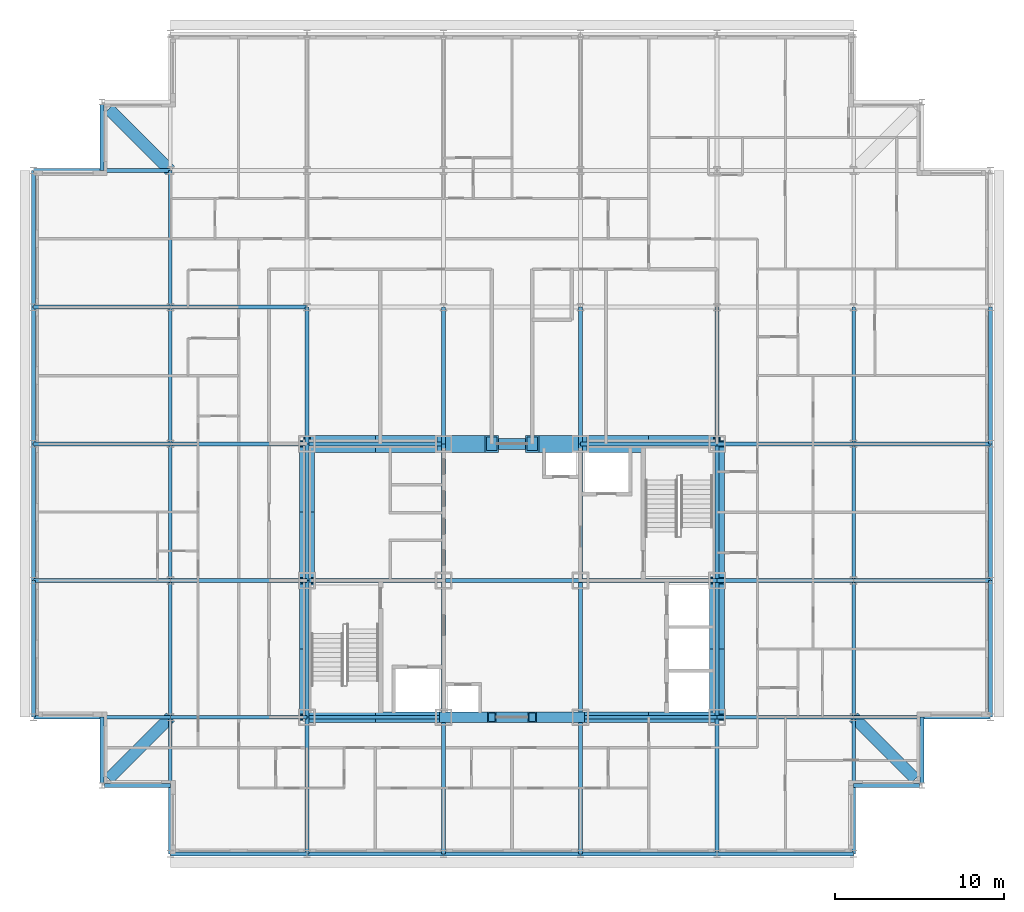
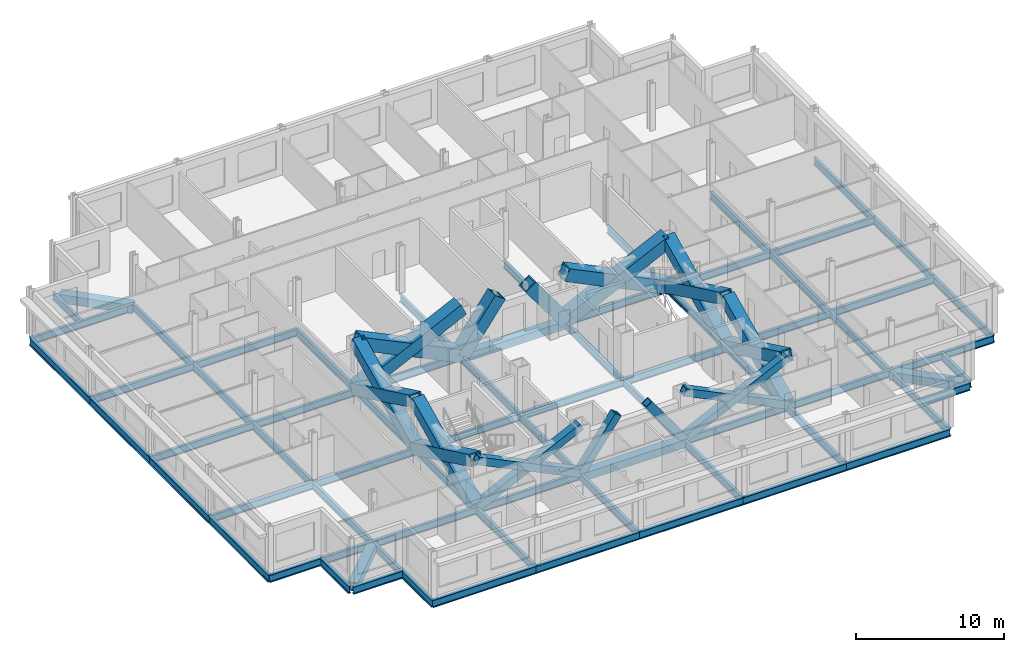
# One storey, part 5 of 15: 69 beams, 20 members.
"""IFC4 building model written with IfcOpenShell, lengths in metres."""

from ifc_helpers import new_model, si_unit, direction, frame, origin, origin_2d, place, context, subcontext, project, spatial, hollow_rectangle, i_section, extrude, material, material_profile, profile_set, type_object, element, save


model = new_model("IFC4")

# Units and contexts
model_context = context("Model", 3, precision=1e-05, world=origin(), true_north=direction((0.0, 1.0)))
body_context = subcontext(model_context, "Body", "Model", "MODEL_VIEW")
ifc_project = project(units=[si_unit("LENGTHUNIT", "METRE"), si_unit("AREAUNIT", "SQUARE_METRE"), si_unit("VOLUMEUNIT", "CUBIC_METRE"), si_unit("PLANEANGLEUNIT", "RADIAN"), si_unit("MASSUNIT", "GRAM", prefix="KILO")], contexts=[model_context])

# Site, building, storey
site_placement = place(None, origin())
site = spatial("IfcSite", under=ifc_project, at=site_placement, CompositionType="ELEMENT")
building_placement = place(site_placement, origin())
building = spatial("IfcBuilding", under=site, at=building_placement, Name="Kopane Lantern Tower", CompositionType="ELEMENT")
storey_placement = place(building_placement, frame((0.0, 0.0, 250.199951171875)))
storey = spatial("IfcBuildingStorey", under=building, at=storey_placement, Name="L64", CompositionType="ELEMENT", Elevation=250.199951171875)

# Members
ifc_material_1 = material(Name="Steel S355JR", Category="steel")
ifc_material_profile_1 = material_profile(ifc_material_1, hollow_rectangle(XDim=1.0, YDim=1.0, WallThickness=0.10009765625, at=origin_2d()), Name="BOX 1000x1000x100")
ifc_profile_set_1 = profile_set([ifc_material_profile_1], Name="Steel S355JR")
member_type_1 = type_object("IfcMemberType", Name="BRACE BOX 1000x1000x100", PredefinedType="BRACE", material=ifc_profile_set_1)
for number, where, z_axis, x_axis, name in (
    (1, (16.199951171875, 40.5, -0.2099609375), (0.901007959878, 0.0, 0.433802554437), (0.0, 1.0, 0.0), "Core brace L64"),
    (2, (24.300048828125, 40.5, -0.2099609375), (-0.901007959878, 0.0, 0.433802554437), (0.0, -1.0, 0.0), "Core brace L64"),
):
    element("IfcMember", number, at=place(storey_placement, frame(where, z_axis=z_axis, x_axis=x_axis)), inside=storey, type_object=member_type_1, Name=name, PredefinedType="BRACE", context=body_context, shape_type="SweptSolid", body=[
        extrude(hollow_rectangle(XDim=1.0, YDim=1.0, WallThickness=0.10009765625, at=origin_2d()), origin(), (0.0, 0.0, 1.0), 8.989990234375),
    ])
for number, where, z_axis, x_axis, name in (
    (3, (24.300048828125, 40.5, -0.2099609375), (0.590006451143, 0.0, 0.807398530845), (0.0, 1.0, 0.0), "Core brace L64"),
    (4, (32.39990234375, 40.5, -0.2099609375), (-0.590006451143, 0.0, 0.807398530845), (0.0, -1.0, 0.0), "Core brace L64"),
):
    element("IfcMember", number, at=place(storey_placement, frame(where, z_axis=z_axis, x_axis=x_axis)), inside=storey, type_object=member_type_1, Name=name, PredefinedType="BRACE", context=body_context, shape_type="SweptSolid", body=[
        extrude(hollow_rectangle(XDim=1.0, YDim=1.0, WallThickness=0.10009765625, at=origin_2d()), origin(), (0.0, 0.0, 1.0), 4.830322265625),
    ])
for number, where, z_axis, x_axis, name in (
    (5, (32.39990234375, 40.5, -0.2099609375), (0.901007959878, 0.0, 0.433802554437), (0.0, 1.0, 0.0), "Core brace L64"),
    (6, (40.5, 40.5, -0.2099609375), (-0.901007959878, 0.0, 0.433802554437), (0.0, -1.0, 0.0), "Core brace L64"),
):
    element("IfcMember", number, at=place(storey_placement, frame(where, z_axis=z_axis, x_axis=x_axis)), inside=storey, type_object=member_type_1, Name=name, PredefinedType="BRACE", context=body_context, shape_type="SweptSolid", body=[
        extrude(hollow_rectangle(XDim=1.0, YDim=1.0, WallThickness=0.10009765625, at=origin_2d()), origin(), (0.0, 0.0, 1.0), 8.989990234375),
    ])
ifc_material_2 = material(Name="Steel S355JR", Category="steel")
ifc_material_profile_2 = material_profile(ifc_material_2, hollow_rectangle(XDim=0.60009765625, YDim=0.60009765625, WallThickness=0.06005859375, at=origin_2d()), Name="BOX 600x600x60")
ifc_profile_set_2 = profile_set([ifc_material_profile_2], Name="Steel S355JR")
member_type_2 = type_object("IfcMemberType", Name="BRACE BOX 600x600x60", PredefinedType="BRACE", material=ifc_profile_set_2)
for number, where, z_axis, x_axis, name in (
    (7, (16.199951171875, 24.300048828125, -0.2099609375), (0.901007959878, 0.0, 0.433802554437), (0.0, 1.0, 0.0), "Core brace L64"),
    (8, (24.300048828125, 24.300048828125, -0.2099609375), (-0.901007959878, 0.0, 0.433802554437), (0.0, -1.0, 0.0), "Core brace L64"),
):
    element("IfcMember", number, at=place(storey_placement, frame(where, z_axis=z_axis, x_axis=x_axis)), inside=storey, type_object=member_type_2, Name=name, PredefinedType="BRACE", context=body_context, shape_type="SweptSolid", body=[
        extrude(hollow_rectangle(XDim=0.60009765625, YDim=0.60009765625, WallThickness=0.06005859375, at=origin_2d()), origin(), (0.0, 0.0, 1.0), 8.989990234375),
    ])
for number, where, z_axis, x_axis, name in (
    (9, (24.300048828125, 24.300048828125, -0.2099609375), (0.590006451143, 0.0, 0.807398530845), (0.0, 1.0, 0.0), "Core brace L64"),
    (10, (32.39990234375, 24.300048828125, -0.2099609375), (-0.590006451143, 0.0, 0.807398530845), (0.0, -1.0, 0.0), "Core brace L64"),
):
    element("IfcMember", number, at=place(storey_placement, frame(where, z_axis=z_axis, x_axis=x_axis)), inside=storey, type_object=member_type_2, Name=name, PredefinedType="BRACE", context=body_context, shape_type="SweptSolid", body=[
        extrude(hollow_rectangle(XDim=0.60009765625, YDim=0.60009765625, WallThickness=0.06005859375, at=origin_2d()), origin(), (0.0, 0.0, 1.0), 4.830322265625),
    ])
for number, where, z_axis, x_axis, name in (
    (11, (32.39990234375, 24.300048828125, -0.2099609375), (0.901007959878, 0.0, 0.433802554437), (0.0, 1.0, 0.0), "Core brace L64"),
    (12, (40.5, 24.300048828125, -0.2099609375), (-0.901007959878, 0.0, 0.433802554437), (0.0, -1.0, 0.0), "Core brace L64"),
):
    element("IfcMember", number, at=place(storey_placement, frame(where, z_axis=z_axis, x_axis=x_axis)), inside=storey, type_object=member_type_2, Name=name, PredefinedType="BRACE", context=body_context, shape_type="SweptSolid", body=[
        extrude(hollow_rectangle(XDim=0.60009765625, YDim=0.60009765625, WallThickness=0.06005859375, at=origin_2d()), origin(), (0.0, 0.0, 1.0), 8.989990234375),
    ])
ifc_material_3 = material(Name="Steel S355JR", Category="steel")
ifc_material_profile_3 = material_profile(ifc_material_3, hollow_rectangle(XDim=0.89990234375, YDim=0.89990234375, WallThickness=0.090087890625, at=origin_2d()), Name="BOX 900x900x90")
ifc_profile_set_3 = profile_set([ifc_material_profile_3], Name="Steel S355JR")
member_type_3 = type_object("IfcMemberType", Name="BRACE BOX 900x900x90", PredefinedType="BRACE", material=ifc_profile_set_3)
for number, where, z_axis, x_axis, name in (
    (13, (16.199951171875, 24.300048828125, -0.2099609375), (0.0, 0.9010028492, 0.433813169157), (-1.0, 0.0, 0.0), "Core brace L64"),
    (14, (16.199951171875, 32.39990234375, -0.2099609375), (0.0, -0.9010028492, 0.433813169157), (1.0, 0.0, 0.0), "Core brace L64"),
):
    element("IfcMember", number, at=place(storey_placement, frame(where, z_axis=z_axis, x_axis=x_axis)), inside=storey, type_object=member_type_3, Name=name, PredefinedType="BRACE", context=body_context, shape_type="SweptSolid", body=[
        extrude(hollow_rectangle(XDim=0.89990234375, YDim=0.89990234375, WallThickness=0.090087890625, at=origin_2d()), origin(), (0.0, 0.0, 1.0), 8.98974609375),
    ])
for number, where, z_axis, x_axis, name in (
    (15, (16.199951171875, 32.39990234375, -0.2099609375), (0.0, 0.901007959878, 0.433802554437), (-1.0, 0.0, 0.0), "Core brace L64"),
    (16, (16.199951171875, 40.5, -0.2099609375), (0.0, -0.901007959878, 0.433802554437), (1.0, 0.0, 0.0), "Core brace L64"),
):
    element("IfcMember", number, at=place(storey_placement, frame(where, z_axis=z_axis, x_axis=x_axis)), inside=storey, type_object=member_type_3, Name=name, PredefinedType="BRACE", context=body_context, shape_type="SweptSolid", body=[
        extrude(hollow_rectangle(XDim=0.89990234375, YDim=0.89990234375, WallThickness=0.090087890625, at=origin_2d()), origin(), (0.0, 0.0, 1.0), 8.989990234375),
    ])
for number, where, z_axis, x_axis, name in (
    (17, (40.5, 24.300048828125, -0.2099609375), (0.0, 0.9010028492, 0.433813169157), (-1.0, 0.0, 0.0), "Core brace L64"),
    (18, (40.5, 32.39990234375, -0.2099609375), (0.0, -0.9010028492, 0.433813169157), (1.0, 0.0, 0.0), "Core brace L64"),
):
    element("IfcMember", number, at=place(storey_placement, frame(where, z_axis=z_axis, x_axis=x_axis)), inside=storey, type_object=member_type_3, Name=name, PredefinedType="BRACE", context=body_context, shape_type="SweptSolid", body=[
        extrude(hollow_rectangle(XDim=0.89990234375, YDim=0.89990234375, WallThickness=0.090087890625, at=origin_2d()), origin(), (0.0, 0.0, 1.0), 8.98974609375),
    ])
for number, where, z_axis, x_axis, name in (
    (19, (40.5, 32.39990234375, -0.2099609375), (0.0, 0.901007959878, 0.433802554437), (-1.0, 0.0, 0.0), "Core brace L64"),
    (20, (40.5, 40.5, -0.2099609375), (0.0, -0.901007959878, 0.433802554437), (1.0, 0.0, 0.0), "Core brace L64"),
):
    element("IfcMember", number, at=place(storey_placement, frame(where, z_axis=z_axis, x_axis=x_axis)), inside=storey, type_object=member_type_3, Name=name, PredefinedType="BRACE", context=body_context, shape_type="SweptSolid", body=[
        extrude(hollow_rectangle(XDim=0.89990234375, YDim=0.89990234375, WallThickness=0.090087890625, at=origin_2d()), origin(), (0.0, 0.0, 1.0), 8.989990234375),
    ])

# Beams
ifc_material_4 = material(Name="Steel S355JR", Category="steel")
ifc_material_profile_4 = material_profile(ifc_material_4, i_section(OverallWidth=0.22900390625, OverallDepth=0.6123046875, WebThickness=0.011962890625, FlangeThickness=0.01953125, FilletRadius=0.0126953125, at=origin_2d()), Name="UB 610x229x125")
ifc_profile_set_4 = profile_set([ifc_material_profile_4], Name="Steel S355JR")
beam_type_1 = type_object("IfcBeamType", Name="CORE BEAM UB 610x229x125", PredefinedType="BEAM", material=ifc_profile_set_4)
beam_1_placement = place(storey_placement, frame((16.199951171875, 32.39990234375, -0.51611328125), z_axis=(1.0, 0.0, 0.0), x_axis=(0.0, 1.0, 0.0)))
element("IfcBeam", 21, at=beam_1_placement, inside=storey, type_object=beam_type_1, Name="Core Beam L64", PredefinedType="BEAM", context=body_context, shape_type="SweptSolid", body=[
    extrude(i_section(OverallWidth=0.22900390625, OverallDepth=0.6123046875, WebThickness=0.011962890625, FlangeThickness=0.01953125, FilletRadius=0.0126953125, at=origin_2d()), origin(), (0.0, 0.0, 1.0), 8.10009765625),
])
beam_2_placement = place(storey_placement, frame((24.300048828125, 24.300048828125, -0.51611328125), z_axis=(0.0, 1.0, 0.0), x_axis=(-1.0, 0.0, 0.0)))
element("IfcBeam", 22, at=beam_2_placement, inside=storey, type_object=beam_type_1, Name="Core Beam L64", PredefinedType="BEAM", context=body_context, shape_type="SweptSolid", body=[
    extrude(i_section(OverallWidth=0.22900390625, OverallDepth=0.6123046875, WebThickness=0.011962890625, FlangeThickness=0.01953125, FilletRadius=0.0126953125, at=origin_2d()), origin(), (0.0, 0.0, 1.0), 8.099853515625),
])
beam_3_placement = place(storey_placement, frame((24.300048828125, 32.39990234375, -0.51611328125), z_axis=(0.0, 1.0, 0.0), x_axis=(-1.0, 0.0, 0.0)))
element("IfcBeam", 23, at=beam_3_placement, inside=storey, type_object=beam_type_1, Name="Core Beam L64", PredefinedType="BEAM", context=body_context, shape_type="SweptSolid", body=[
    extrude(i_section(OverallWidth=0.22900390625, OverallDepth=0.6123046875, WebThickness=0.011962890625, FlangeThickness=0.01953125, FilletRadius=0.0126953125, at=origin_2d()), origin(), (0.0, 0.0, 1.0), 8.10009765625),
])
for number, where, z_axis, x_axis, name in (
    (24, (24.300048828125, 32.39990234375, -0.51611328125), (1.0, 0.0, 0.0), (0.0, 1.0, 0.0), "Core Beam L64"),
    (25, (32.39990234375, 24.300048828125, -0.51611328125), (0.0, 1.0, 0.0), (-1.0, 0.0, 0.0), "Core Beam L64"),
):
    element("IfcBeam", number, at=place(storey_placement, frame(where, z_axis=z_axis, x_axis=x_axis)), inside=storey, type_object=beam_type_1, Name=name, PredefinedType="BEAM", context=body_context, shape_type="SweptSolid", body=[
        extrude(i_section(OverallWidth=0.22900390625, OverallDepth=0.6123046875, WebThickness=0.011962890625, FlangeThickness=0.01953125, FilletRadius=0.0126953125, at=origin_2d()), origin(), (0.0, 0.0, 1.0), 8.099853515625),
    ])
for number, where, z_axis, x_axis, name in (
    (26, (32.39990234375, 32.39990234375, -0.51611328125), (0.0, 1.0, 0.0), (-1.0, 0.0, 0.0), "Core Beam L64"),
    (27, (32.39990234375, 32.39990234375, -0.51611328125), (1.0, 0.0, 0.0), (0.0, 1.0, 0.0), "Core Beam L64"),
):
    element("IfcBeam", number, at=place(storey_placement, frame(where, z_axis=z_axis, x_axis=x_axis)), inside=storey, type_object=beam_type_1, Name=name, PredefinedType="BEAM", context=body_context, shape_type="SweptSolid", body=[
        extrude(i_section(OverallWidth=0.22900390625, OverallDepth=0.6123046875, WebThickness=0.011962890625, FlangeThickness=0.01953125, FilletRadius=0.0126953125, at=origin_2d()), origin(), (0.0, 0.0, 1.0), 8.10009765625),
    ])
ifc_material_5 = material(Name="Steel S355JR", Category="steel")
ifc_material_profile_5 = material_profile(ifc_material_5, hollow_rectangle(XDim=0.699951171875, YDim=0.699951171875, WallThickness=0.06005859375, at=origin_2d()), Name="BOX 700x700x60")
ifc_profile_set_5 = profile_set([ifc_material_profile_5], Name="Steel S355JR")
beam_type_2 = type_object("IfcBeamType", Name="CORNER TIE BEAM BOX 700x700x60", PredefinedType="BEAM", material=ifc_profile_set_5)
for number, where, z_axis, x_axis, name in (
    (28, (4.447509765625, 20.6474609375, -0.56005859375), (0.707106781187, 0.707106781187, 0.0), (-0.707106781187, 0.707106781187, 0.0), "Corner Tie Beam L64"),
    (29, (4.447509765625, 60.3525390625, -0.56005859375), (0.707106781187, -0.707106781187, 0.0), (0.707106781187, 0.707106781187, 0.0), "Corner Tie Beam L64"),
):
    element("IfcBeam", number, at=place(storey_placement, frame(where, z_axis=z_axis, x_axis=x_axis)), inside=storey, type_object=beam_type_2, Name=name, PredefinedType="BEAM", context=body_context, shape_type="SweptSolid", body=[
        extrude(hollow_rectangle(XDim=0.699951171875, YDim=0.699951171875, WallThickness=0.06005859375, at=origin_2d()), origin(), (0.0, 0.0, 1.0), 5.16552734375),
    ])
beam_4_placement = place(storey_placement, frame((52.25244140625, 20.6474609375, -0.56005859375), z_axis=(-0.707083148333, 0.70713041325, 0.0), x_axis=(-0.70713041325, -0.707083148333, 0.0)))
element("IfcBeam", 30, at=beam_4_placement, inside=storey, type_object=beam_type_2, Name="Corner Tie Beam L64", PredefinedType="BEAM", context=body_context, shape_type="SweptSolid", body=[
    extrude(hollow_rectangle(XDim=0.699951171875, YDim=0.699951171875, WallThickness=0.06005859375, at=origin_2d()), origin(), (0.0, 0.0, 1.0), 5.165283203125),
])
ifc_material_6 = material(Name="Steel S355JR", Category="steel")
ifc_material_profile_6 = material_profile(ifc_material_6, i_section(OverallWidth=0.22900390625, OverallDepth=0.6123046875, WebThickness=0.011962890625, FlangeThickness=0.01953125, FilletRadius=0.0126953125, at=origin_2d()), Name="UB 610x229x125")
ifc_profile_set_6 = profile_set([ifc_material_profile_6], Name="Steel S355JR")
beam_type_3 = type_object("IfcBeamType", Name="EDGE BEAM UB 610x229x125", PredefinedType="BEAM", material=ifc_profile_set_6)
beam_5_placement = place(storey_placement, frame((4.050048828125, 20.40380859375, -0.51611328125), z_axis=(0.0, 1.0, 0.0), x_axis=(-1.0, 0.0, 0.0)))
element("IfcBeam", 31, at=beam_5_placement, inside=storey, type_object=beam_type_3, Name="Edge Beam L64", PredefinedType="BEAM", context=body_context, shape_type="SweptSolid", body=[
    extrude(i_section(OverallWidth=0.22900390625, OverallDepth=0.6123046875, WebThickness=0.011962890625, FlangeThickness=0.01953125, FilletRadius=0.0126953125, at=origin_2d()), origin(), (0.0, 0.0, 1.0), 3.896240234375),
])
beam_6_placement = place(storey_placement, frame((4.20361328125, 20.25, -0.51611328125), z_axis=(1.0, 0.0, 0.0), x_axis=(0.0, 1.0, 0.0)))
element("IfcBeam", 32, at=beam_6_placement, inside=storey, type_object=beam_type_3, Name="Edge Beam L64", PredefinedType="BEAM", context=body_context, shape_type="SweptSolid", body=[
    extrude(i_section(OverallWidth=0.22900390625, OverallDepth=0.6123046875, WebThickness=0.011962890625, FlangeThickness=0.01953125, FilletRadius=0.0126953125, at=origin_2d()), origin(), (0.0, 0.0, 1.0), 3.896484375),
])
for number, where, z_axis, x_axis, name in (
    (33, (4.050048828125, 60.59619140625, -0.51611328125), (0.0, -1.0, 0.0), (1.0, 0.0, 0.0), "Edge Beam L64"),
    (34, (52.496337890625, 20.25, -0.51611328125), (-1.0, 0.0, 0.0), (0.0, -1.0, 0.0), "Edge Beam L64"),
    (35, (52.64990234375, 20.40380859375, -0.51611328125), (0.0, 1.0, 0.0), (-1.0, 0.0, 0.0), "Edge Beam L64"),
):
    element("IfcBeam", number, at=place(storey_placement, frame(where, z_axis=z_axis, x_axis=x_axis)), inside=storey, type_object=beam_type_3, Name=name, PredefinedType="BEAM", context=body_context, shape_type="SweptSolid", body=[
        extrude(i_section(OverallWidth=0.22900390625, OverallDepth=0.6123046875, WebThickness=0.011962890625, FlangeThickness=0.01953125, FilletRadius=0.0126953125, at=origin_2d()), origin(), (0.0, 0.0, 1.0), 3.896240234375),
    ])
ifc_material_7 = material(Name="Steel S355JR", Category="steel")
ifc_material_profile_7 = material_profile(ifc_material_7, i_section(OverallWidth=0.22900390625, OverallDepth=0.6123046875, WebThickness=0.011962890625, FlangeThickness=0.01953125, FilletRadius=0.0126953125, at=origin_2d()), Name="UB 610x229x125")
ifc_profile_set_7 = profile_set([ifc_material_profile_7], Name="Steel S355JR")
beam_type_4 = type_object("IfcBeamType", Name="GIRDER UB 610x229x125", PredefinedType="BEAM", material=ifc_profile_set_7)
beam_7_placement = place(storey_placement, frame((0.0, 24.300048828125, -0.51611328125), z_axis=(0.0, 1.0, 0.0), x_axis=(-1.0, 0.0, 0.0)))
element("IfcBeam", 36, at=beam_7_placement, inside=storey, type_object=beam_type_4, Name="Girder L64", PredefinedType="BEAM", context=body_context, shape_type="SweptSolid", body=[
    extrude(i_section(OverallWidth=0.22900390625, OverallDepth=0.6123046875, WebThickness=0.011962890625, FlangeThickness=0.01953125, FilletRadius=0.0126953125, at=origin_2d()), origin(), (0.0, 0.0, 1.0), 8.099853515625),
])
for number, where, z_axis, x_axis, name in (
    (37, (0.0, 24.300048828125, -0.51611328125), (1.0, 0.0, 0.0), (0.0, 1.0, 0.0), "Girder L64"),
    (38, (0.0, 32.39990234375, -0.51611328125), (0.0, 1.0, 0.0), (-1.0, 0.0, 0.0), "Girder L64"),
    (39, (0.0, 32.39990234375, -0.51611328125), (1.0, 0.0, 0.0), (0.0, 1.0, 0.0), "Girder L64"),
    (40, (0.0, 40.5, -0.51611328125), (0.0, 1.0, 0.0), (-1.0, 0.0, 0.0), "Girder L64"),
    (41, (0.0, 40.5, -0.51611328125), (1.0, 0.0, 0.0), (0.0, 1.0, 0.0), "Girder L64"),
):
    element("IfcBeam", number, at=place(storey_placement, frame(where, z_axis=z_axis, x_axis=x_axis)), inside=storey, type_object=beam_type_4, Name=name, PredefinedType="BEAM", context=body_context, shape_type="SweptSolid", body=[
        extrude(i_section(OverallWidth=0.22900390625, OverallDepth=0.6123046875, WebThickness=0.011962890625, FlangeThickness=0.01953125, FilletRadius=0.0126953125, at=origin_2d()), origin(), (0.0, 0.0, 1.0), 8.10009765625),
    ])
beam_8_placement = place(storey_placement, frame((0.0, 48.60009765625, -0.51611328125), z_axis=(0.0, 1.0, 0.0), x_axis=(-1.0, 0.0, 0.0)))
element("IfcBeam", 42, at=beam_8_placement, inside=storey, type_object=beam_type_4, Name="Girder L64", PredefinedType="BEAM", context=body_context, shape_type="SweptSolid", body=[
    extrude(i_section(OverallWidth=0.22900390625, OverallDepth=0.6123046875, WebThickness=0.011962890625, FlangeThickness=0.01953125, FilletRadius=0.0126953125, at=origin_2d()), origin(), (0.0, 0.0, 1.0), 8.099853515625),
])
for number, where, z_axis, x_axis, name in (
    (43, (0.0, 48.60009765625, -0.51611328125), (1.0, 0.0, 0.0), (0.0, 1.0, 0.0), "Girder L64"),
    (44, (0.0, 56.699951171875, -0.51611328125), (1.0, 0.0, 0.0), (0.0, 1.0, 0.0), "Girder L64"),
    (45, (8.10009765625, 16.199951171875, -0.51611328125), (0.0, 1.0, 0.0), (-1.0, 0.0, 0.0), "Girder L64"),
):
    element("IfcBeam", number, at=place(storey_placement, frame(where, z_axis=z_axis, x_axis=x_axis)), inside=storey, type_object=beam_type_4, Name=name, PredefinedType="BEAM", context=body_context, shape_type="SweptSolid", body=[
        extrude(i_section(OverallWidth=0.22900390625, OverallDepth=0.6123046875, WebThickness=0.011962890625, FlangeThickness=0.01953125, FilletRadius=0.0126953125, at=origin_2d()), origin(), (0.0, 0.0, 1.0), 8.10009765625),
    ])
for number, where, z_axis, x_axis, name in (
    (46, (8.10009765625, 16.199951171875, -0.51611328125), (1.0, 0.0, 0.0), (0.0, 1.0, 0.0), "Girder L64"),
    (47, (8.10009765625, 24.300048828125, -0.51611328125), (0.0, 1.0, 0.0), (-1.0, 0.0, 0.0), "Girder L64"),
    (48, (8.10009765625, 24.300048828125, -0.51611328125), (1.0, 0.0, 0.0), (0.0, 1.0, 0.0), "Girder L64"),
):
    element("IfcBeam", number, at=place(storey_placement, frame(where, z_axis=z_axis, x_axis=x_axis)), inside=storey, type_object=beam_type_4, Name=name, PredefinedType="BEAM", context=body_context, shape_type="SweptSolid", body=[
        extrude(i_section(OverallWidth=0.22900390625, OverallDepth=0.6123046875, WebThickness=0.011962890625, FlangeThickness=0.01953125, FilletRadius=0.0126953125, at=origin_2d()), origin(), (0.0, 0.0, 1.0), 8.099853515625),
    ])
beam_9_placement = place(storey_placement, frame((8.10009765625, 32.39990234375, -0.51611328125), z_axis=(0.0, 1.0, 0.0), x_axis=(-1.0, 0.0, 0.0)))
element("IfcBeam", 49, at=beam_9_placement, inside=storey, type_object=beam_type_4, Name="Girder L64", PredefinedType="BEAM", context=body_context, shape_type="SweptSolid", body=[
    extrude(i_section(OverallWidth=0.22900390625, OverallDepth=0.6123046875, WebThickness=0.011962890625, FlangeThickness=0.01953125, FilletRadius=0.0126953125, at=origin_2d()), origin(), (0.0, 0.0, 1.0), 8.10009765625),
])
beam_10_placement = place(storey_placement, frame((8.10009765625, 32.39990234375, -0.51611328125), z_axis=(1.0, 0.0, 0.0), x_axis=(0.0, 1.0, 0.0)))
element("IfcBeam", 50, at=beam_10_placement, inside=storey, type_object=beam_type_4, Name="Girder L64", PredefinedType="BEAM", context=body_context, shape_type="SweptSolid", body=[
    extrude(i_section(OverallWidth=0.22900390625, OverallDepth=0.6123046875, WebThickness=0.011962890625, FlangeThickness=0.01953125, FilletRadius=0.0126953125, at=origin_2d()), origin(), (0.0, 0.0, 1.0), 8.099853515625),
])
beam_11_placement = place(storey_placement, frame((8.10009765625, 40.5, -0.51611328125), z_axis=(0.0, 1.0, 0.0), x_axis=(-1.0, 0.0, 0.0)))
element("IfcBeam", 51, at=beam_11_placement, inside=storey, type_object=beam_type_4, Name="Girder L64", PredefinedType="BEAM", context=body_context, shape_type="SweptSolid", body=[
    extrude(i_section(OverallWidth=0.22900390625, OverallDepth=0.6123046875, WebThickness=0.011962890625, FlangeThickness=0.01953125, FilletRadius=0.0126953125, at=origin_2d()), origin(), (0.0, 0.0, 1.0), 8.10009765625),
])
for number, where, z_axis, x_axis, name in (
    (52, (8.10009765625, 40.5, -0.51611328125), (1.0, 0.0, 0.0), (0.0, 1.0, 0.0), "Girder L64"),
    (53, (8.10009765625, 48.60009765625, -0.51611328125), (0.0, 1.0, 0.0), (-1.0, 0.0, 0.0), "Girder L64"),
    (54, (8.10009765625, 48.60009765625, -0.51611328125), (1.0, 0.0, 0.0), (0.0, 1.0, 0.0), "Girder L64"),
):
    element("IfcBeam", number, at=place(storey_placement, frame(where, z_axis=z_axis, x_axis=x_axis)), inside=storey, type_object=beam_type_4, Name=name, PredefinedType="BEAM", context=body_context, shape_type="SweptSolid", body=[
        extrude(i_section(OverallWidth=0.22900390625, OverallDepth=0.6123046875, WebThickness=0.011962890625, FlangeThickness=0.01953125, FilletRadius=0.0126953125, at=origin_2d()), origin(), (0.0, 0.0, 1.0), 8.099853515625),
    ])
for number, where, z_axis, x_axis, name in (
    (55, (16.199951171875, 16.199951171875, -0.51611328125), (0.0, 1.0, 0.0), (-1.0, 0.0, 0.0), "Girder L64"),
    (56, (16.199951171875, 16.199951171875, -0.51611328125), (1.0, 0.0, 0.0), (0.0, 1.0, 0.0), "Girder L64"),
):
    element("IfcBeam", number, at=place(storey_placement, frame(where, z_axis=z_axis, x_axis=x_axis)), inside=storey, type_object=beam_type_4, Name=name, PredefinedType="BEAM", context=body_context, shape_type="SweptSolid", body=[
        extrude(i_section(OverallWidth=0.22900390625, OverallDepth=0.6123046875, WebThickness=0.011962890625, FlangeThickness=0.01953125, FilletRadius=0.0126953125, at=origin_2d()), origin(), (0.0, 0.0, 1.0), 8.10009765625),
    ])
beam_12_placement = place(storey_placement, frame((16.199951171875, 24.300048828125, -0.51611328125), z_axis=(0.0, 1.0, 0.0), x_axis=(-1.0, 0.0, 0.0)))
element("IfcBeam", 57, at=beam_12_placement, inside=storey, type_object=beam_type_4, Name="Girder L64", PredefinedType="BEAM", context=body_context, shape_type="SweptSolid", body=[
    extrude(i_section(OverallWidth=0.22900390625, OverallDepth=0.6123046875, WebThickness=0.011962890625, FlangeThickness=0.01953125, FilletRadius=0.0126953125, at=origin_2d()), origin(), (0.0, 0.0, 1.0), 8.099853515625),
])
for number, where, z_axis, x_axis, name in (
    (58, (16.199951171875, 24.300048828125, -0.51611328125), (1.0, 0.0, 0.0), (0.0, 1.0, 0.0), "Girder L64"),
    (59, (16.199951171875, 32.39990234375, -0.51611328125), (0.0, 1.0, 0.0), (-1.0, 0.0, 0.0), "Girder L64"),
    (60, (16.199951171875, 40.5, -0.51611328125), (0.0, 1.0, 0.0), (-1.0, 0.0, 0.0), "Girder L64"),
    (61, (16.199951171875, 40.5, -0.51611328125), (1.0, 0.0, 0.0), (0.0, 1.0, 0.0), "Girder L64"),
    (62, (24.300048828125, 16.199951171875, -0.51611328125), (0.0, 1.0, 0.0), (-1.0, 0.0, 0.0), "Girder L64"),
):
    element("IfcBeam", number, at=place(storey_placement, frame(where, z_axis=z_axis, x_axis=x_axis)), inside=storey, type_object=beam_type_4, Name=name, PredefinedType="BEAM", context=body_context, shape_type="SweptSolid", body=[
        extrude(i_section(OverallWidth=0.22900390625, OverallDepth=0.6123046875, WebThickness=0.011962890625, FlangeThickness=0.01953125, FilletRadius=0.0126953125, at=origin_2d()), origin(), (0.0, 0.0, 1.0), 8.10009765625),
    ])
beam_13_placement = place(storey_placement, frame((24.300048828125, 16.199951171875, -0.51611328125), z_axis=(1.0, 0.0, 0.0), x_axis=(0.0, 1.0, 0.0)))
element("IfcBeam", 63, at=beam_13_placement, inside=storey, type_object=beam_type_4, Name="Girder L64", PredefinedType="BEAM", context=body_context, shape_type="SweptSolid", body=[
    extrude(i_section(OverallWidth=0.22900390625, OverallDepth=0.6123046875, WebThickness=0.011962890625, FlangeThickness=0.01953125, FilletRadius=0.0126953125, at=origin_2d()), origin(), (0.0, 0.0, 1.0), 8.099853515625),
])
for number, where, z_axis, x_axis, name in (
    (64, (24.300048828125, 40.5, -0.51611328125), (0.0, 1.0, 0.0), (-1.0, 0.0, 0.0), "Girder L64"),
    (65, (32.39990234375, 16.199951171875, -0.51611328125), (0.0, 1.0, 0.0), (-1.0, 0.0, 0.0), "Girder L64"),
    (66, (32.39990234375, 16.199951171875, -0.51611328125), (1.0, 0.0, 0.0), (0.0, 1.0, 0.0), "Girder L64"),
    (67, (32.39990234375, 24.300048828125, -0.51611328125), (1.0, 0.0, 0.0), (0.0, 1.0, 0.0), "Girder L64"),
    (68, (32.39990234375, 40.5, -0.51611328125), (0.0, 1.0, 0.0), (-1.0, 0.0, 0.0), "Girder L64"),
    (69, (32.39990234375, 40.5, -0.51611328125), (1.0, 0.0, 0.0), (0.0, 1.0, 0.0), "Girder L64"),
    (70, (40.5, 16.199951171875, -0.51611328125), (0.0, 1.0, 0.0), (-1.0, 0.0, 0.0), "Girder L64"),
    (71, (40.5, 16.199951171875, -0.51611328125), (1.0, 0.0, 0.0), (0.0, 1.0, 0.0), "Girder L64"),
):
    element("IfcBeam", number, at=place(storey_placement, frame(where, z_axis=z_axis, x_axis=x_axis)), inside=storey, type_object=beam_type_4, Name=name, PredefinedType="BEAM", context=body_context, shape_type="SweptSolid", body=[
        extrude(i_section(OverallWidth=0.22900390625, OverallDepth=0.6123046875, WebThickness=0.011962890625, FlangeThickness=0.01953125, FilletRadius=0.0126953125, at=origin_2d()), origin(), (0.0, 0.0, 1.0), 8.10009765625),
    ])
beam_14_placement = place(storey_placement, frame((40.5, 24.300048828125, -0.51611328125), z_axis=(0.0, 1.0, 0.0), x_axis=(-1.0, 0.0, 0.0)))
element("IfcBeam", 72, at=beam_14_placement, inside=storey, type_object=beam_type_4, Name="Girder L64", PredefinedType="BEAM", context=body_context, shape_type="SweptSolid", body=[
    extrude(i_section(OverallWidth=0.22900390625, OverallDepth=0.6123046875, WebThickness=0.011962890625, FlangeThickness=0.01953125, FilletRadius=0.0126953125, at=origin_2d()), origin(), (0.0, 0.0, 1.0), 8.099853515625),
])
for number, where, z_axis, x_axis, name in (
    (73, (40.5, 24.300048828125, -0.51611328125), (1.0, 0.0, 0.0), (0.0, 1.0, 0.0), "Girder L64"),
    (74, (40.5, 32.39990234375, -0.51611328125), (0.0, 1.0, 0.0), (-1.0, 0.0, 0.0), "Girder L64"),
    (75, (40.5, 32.39990234375, -0.51611328125), (1.0, 0.0, 0.0), (0.0, 1.0, 0.0), "Girder L64"),
    (76, (40.5, 40.5, -0.51611328125), (0.0, 1.0, 0.0), (-1.0, 0.0, 0.0), "Girder L64"),
    (77, (40.5, 40.5, -0.51611328125), (1.0, 0.0, 0.0), (0.0, 1.0, 0.0), "Girder L64"),
    (78, (48.60009765625, 16.199951171875, -0.51611328125), (0.0, 1.0, 0.0), (-1.0, 0.0, 0.0), "Girder L64"),
):
    element("IfcBeam", number, at=place(storey_placement, frame(where, z_axis=z_axis, x_axis=x_axis)), inside=storey, type_object=beam_type_4, Name=name, PredefinedType="BEAM", context=body_context, shape_type="SweptSolid", body=[
        extrude(i_section(OverallWidth=0.22900390625, OverallDepth=0.6123046875, WebThickness=0.011962890625, FlangeThickness=0.01953125, FilletRadius=0.0126953125, at=origin_2d()), origin(), (0.0, 0.0, 1.0), 8.10009765625),
    ])
for number, where, z_axis, x_axis, name in (
    (79, (48.60009765625, 24.300048828125, -0.51611328125), (0.0, 1.0, 0.0), (-1.0, 0.0, 0.0), "Girder L64"),
    (80, (48.60009765625, 24.300048828125, -0.51611328125), (1.0, 0.0, 0.0), (0.0, 1.0, 0.0), "Girder L64"),
):
    element("IfcBeam", number, at=place(storey_placement, frame(where, z_axis=z_axis, x_axis=x_axis)), inside=storey, type_object=beam_type_4, Name=name, PredefinedType="BEAM", context=body_context, shape_type="SweptSolid", body=[
        extrude(i_section(OverallWidth=0.22900390625, OverallDepth=0.6123046875, WebThickness=0.011962890625, FlangeThickness=0.01953125, FilletRadius=0.0126953125, at=origin_2d()), origin(), (0.0, 0.0, 1.0), 8.099853515625),
    ])
beam_15_placement = place(storey_placement, frame((48.60009765625, 32.39990234375, -0.51611328125), z_axis=(0.0, 1.0, 0.0), x_axis=(-1.0, 0.0, 0.0)))
element("IfcBeam", 81, at=beam_15_placement, inside=storey, type_object=beam_type_4, Name="Girder L64", PredefinedType="BEAM", context=body_context, shape_type="SweptSolid", body=[
    extrude(i_section(OverallWidth=0.22900390625, OverallDepth=0.6123046875, WebThickness=0.011962890625, FlangeThickness=0.01953125, FilletRadius=0.0126953125, at=origin_2d()), origin(), (0.0, 0.0, 1.0), 8.10009765625),
])
beam_16_placement = place(storey_placement, frame((48.60009765625, 32.39990234375, -0.51611328125), z_axis=(1.0, 0.0, 0.0), x_axis=(0.0, 1.0, 0.0)))
element("IfcBeam", 82, at=beam_16_placement, inside=storey, type_object=beam_type_4, Name="Girder L64", PredefinedType="BEAM", context=body_context, shape_type="SweptSolid", body=[
    extrude(i_section(OverallWidth=0.22900390625, OverallDepth=0.6123046875, WebThickness=0.011962890625, FlangeThickness=0.01953125, FilletRadius=0.0126953125, at=origin_2d()), origin(), (0.0, 0.0, 1.0), 8.099853515625),
])
beam_17_placement = place(storey_placement, frame((48.60009765625, 40.5, -0.51611328125), z_axis=(0.0, 1.0, 0.0), x_axis=(-1.0, 0.0, 0.0)))
element("IfcBeam", 83, at=beam_17_placement, inside=storey, type_object=beam_type_4, Name="Girder L64", PredefinedType="BEAM", context=body_context, shape_type="SweptSolid", body=[
    extrude(i_section(OverallWidth=0.22900390625, OverallDepth=0.6123046875, WebThickness=0.011962890625, FlangeThickness=0.01953125, FilletRadius=0.0126953125, at=origin_2d()), origin(), (0.0, 0.0, 1.0), 8.10009765625),
])
for number, where, z_axis, x_axis, name in (
    (84, (48.60009765625, 40.5, -0.51611328125), (1.0, 0.0, 0.0), (0.0, 1.0, 0.0), "Girder L64"),
    (85, (56.699951171875, 24.300048828125, -0.51611328125), (0.0, 1.0, 0.0), (-1.0, 0.0, 0.0), "Girder L64"),
):
    element("IfcBeam", number, at=place(storey_placement, frame(where, z_axis=z_axis, x_axis=x_axis)), inside=storey, type_object=beam_type_4, Name=name, PredefinedType="BEAM", context=body_context, shape_type="SweptSolid", body=[
        extrude(i_section(OverallWidth=0.22900390625, OverallDepth=0.6123046875, WebThickness=0.011962890625, FlangeThickness=0.01953125, FilletRadius=0.0126953125, at=origin_2d()), origin(), (0.0, 0.0, 1.0), 8.099853515625),
    ])
for number, where, z_axis, x_axis, name in (
    (86, (56.699951171875, 32.39990234375, -0.51611328125), (0.0, 1.0, 0.0), (-1.0, 0.0, 0.0), "Girder L64"),
    (87, (56.699951171875, 40.5, -0.51611328125), (0.0, 1.0, 0.0), (-1.0, 0.0, 0.0), "Girder L64"),
):
    element("IfcBeam", number, at=place(storey_placement, frame(where, z_axis=z_axis, x_axis=x_axis)), inside=storey, type_object=beam_type_4, Name=name, PredefinedType="BEAM", context=body_context, shape_type="SweptSolid", body=[
        extrude(i_section(OverallWidth=0.22900390625, OverallDepth=0.6123046875, WebThickness=0.011962890625, FlangeThickness=0.01953125, FilletRadius=0.0126953125, at=origin_2d()), origin(), (0.0, 0.0, 1.0), 8.10009765625),
    ])
ifc_material_8 = material(Name="Steel S355JR", Category="steel")
ifc_material_profile_8 = material_profile(ifc_material_8, hollow_rectangle(XDim=0.64990234375, YDim=0.64990234375, WallThickness=0.070068359375, at=origin_2d()), Name="BOX 650x650x70")
ifc_profile_set_8 = profile_set([ifc_material_profile_8], Name="Steel S355JR")
beam_type_5 = type_object("IfcBeamType", Name="LINK BEAM BOX 650x650x70", PredefinedType="BEAM", material=ifc_profile_set_8)
for number, where, z_axis, x_axis, name in (
    (88, (24.300048828125, 24.300048828125, -0.534912109375), (1.0, 0.0, 0.0), (0.0, 1.0, 0.0), "Link Beam L64"),
    (89, (24.300048828125, 40.5, -0.534912109375), (1.0, 0.0, 0.0), (0.0, 1.0, 0.0), "Link Beam L64"),
):
    element("IfcBeam", number, at=place(storey_placement, frame(where, z_axis=z_axis, x_axis=x_axis)), inside=storey, type_object=beam_type_5, Name=name, PredefinedType="BEAM", context=body_context, shape_type="SweptSolid", body=[
        extrude(hollow_rectangle(XDim=0.64990234375, YDim=0.64990234375, WallThickness=0.070068359375, at=origin_2d()), origin(), (0.0, 0.0, 1.0), 8.099853515625),
    ])

save(model, "model.ifc")
